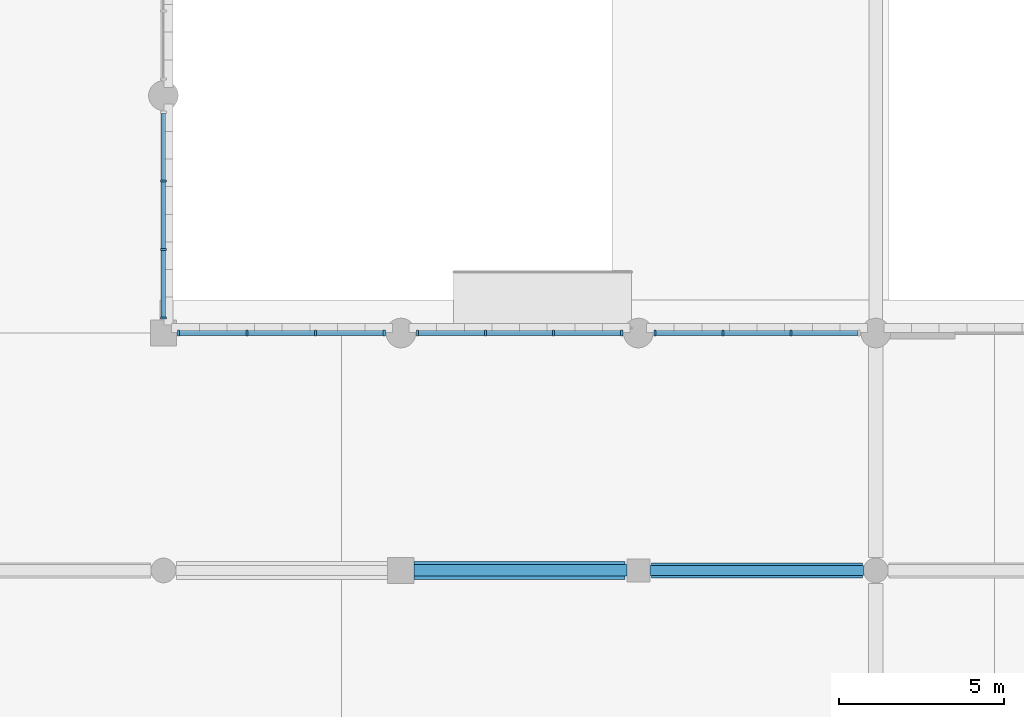
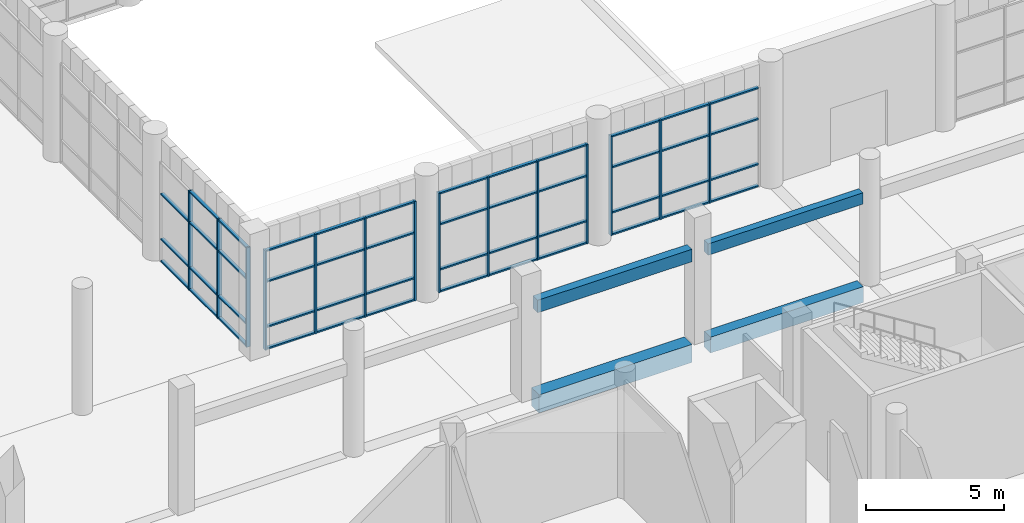
# One storey, part 12 of 85: 61 members, 4 beams, 4 elements without a shape of their own.
"""IFC4 building model written with IfcOpenShell, lengths in metres."""

from ifc_helpers import new_model, si_unit, direction, frame, origin, origin_2d, place, context, subcontext, project, spatial, rectangle, extrude, material, material_profile, profile_set, type_object, element, aggregate, save


model = new_model("IFC4")

# Units and contexts
model_context = context("Model", 3, precision=1e-05, world=origin(), true_north=direction((0.0, 1.0)))
body_context = subcontext(model_context, "Body", "Model", "MODEL_VIEW")
ifc_project = project(units=[si_unit("LENGTHUNIT", "METRE"), si_unit("AREAUNIT", "SQUARE_METRE"), si_unit("VOLUMEUNIT", "CUBIC_METRE"), si_unit("PLANEANGLEUNIT", "RADIAN"), si_unit("MASSUNIT", "GRAM", prefix="KILO")], contexts=[model_context])

# Site, building, storey
site_placement = place(None, origin())
site = spatial("IfcSite", under=ifc_project, at=site_placement, CompositionType="ELEMENT")
building_placement = place(site_placement, origin())
building = spatial("IfcBuilding", under=site, at=building_placement, Name="Sardonyx Promenade Sports Hall", CompositionType="ELEMENT")
storey_placement = place(building_placement, origin())
storey = spatial("IfcBuildingStorey", under=building, at=storey_placement, Name="L00", CompositionType="ELEMENT", Elevation=0.0)

# Beams
ifc_material_1 = material(Name="Concrete C40/50", Category="concrete")
ifc_material_profile_1 = material_profile(ifc_material_1, rectangle(XDim=0.550048828125, YDim=0.800048828125, at=origin_2d()))
ifc_profile_set_1 = profile_set([ifc_material_profile_1], Name="Concrete C40/50")
beam_type_1 = type_object("IfcBeamType", Name="Bm_Girder_RC800", PredefinedType="BEAM", material=ifc_profile_set_1)
beam_1_placement = place(storey_placement, frame((50.800048828125, 36.0, -0.39990234375), z_axis=(1.0, 0.0, 0.0), x_axis=(0.0, 1.0, 0.0)))
element("IfcBeam", 1, at=beam_1_placement, inside=storey, type_object=beam_type_1, Name="Beam BG04 L00 #107", PredefinedType="BEAM", context=body_context, shape_type="SweptSolid", body=[
    extrude(rectangle(XDim=0.550048828125, YDim=0.800048828125, at=origin_2d()), origin(), (0.0, 0.0, 1.0), 6.39990234375),
])
ifc_material_2 = material(Name="Concrete C40/50", Category="concrete")
ifc_material_profile_2 = material_profile(ifc_material_2, rectangle(XDim=0.35009765625, YDim=0.550048828125, at=origin_2d()))
ifc_profile_set_2 = profile_set([ifc_material_profile_2], Name="Concrete C40/50")
beam_type_2 = type_object("IfcBeamType", Name="Bm_Lintel_Portal", PredefinedType="LINTEL", material=ifc_profile_set_2)
beam_2_placement = place(storey_placement, frame((50.798095703125, 36.0, 3.85009765625), z_axis=(1.0, 0.0, 0.0), x_axis=(0.0, 1.0, 0.0)))
element("IfcBeam", 2, at=beam_2_placement, inside=storey, type_object=beam_type_2, Name="Riwaq sandstone portal lintel #3", PredefinedType="LINTEL", context=body_context, shape_type="SweptSolid", body=[
    extrude(rectangle(XDim=0.35009765625, YDim=0.550048828125, at=origin_2d()), origin(), (0.0, 0.0, 1.0), 6.453857421875),
])
ifc_material_3 = material(Name="Concrete C40/50", Category="concrete")
ifc_material_profile_3 = material_profile(ifc_material_3, rectangle(XDim=0.300048828125, YDim=0.5, at=origin_2d()))
ifc_profile_set_3 = profile_set([ifc_material_profile_3], Name="Concrete C40/50")
beam_type_3 = type_object("IfcBeamType", Name="Bm_Lintel_Sandstone", PredefinedType="LINTEL", material=ifc_profile_set_3)
beam_3_placement = place(storey_placement, frame((57.947998046875, 36.0, 3.85009765625), z_axis=(1.0, 0.0, 0.0), x_axis=(0.0, 1.0, 0.0)))
element("IfcBeam", 3, at=beam_3_placement, inside=storey, type_object=beam_type_3, Name="Riwaq sandstone portal lintel #4", PredefinedType="LINTEL", context=body_context, shape_type="SweptSolid", body=[
    extrude(rectangle(XDim=0.300048828125, YDim=0.5, at=origin_2d()), origin(), (0.0, 0.0, 1.0), 6.47900390625),
])
ifc_material_4 = material(Name="Concrete C40/50", Category="concrete")
ifc_material_profile_4 = material_profile(ifc_material_4, rectangle(XDim=0.449951171875, YDim=0.699951171875, at=origin_2d()))
ifc_profile_set_4 = profile_set([ifc_material_profile_4], Name="Concrete C40/50")
beam_type_4 = type_object("IfcBeamType", Name="Bm_Primary_RC700", PredefinedType="BEAM", material=ifc_profile_set_4)
beam_4_placement = place(storey_placement, frame((58.0, 36.0, -0.35009765625), z_axis=(1.0, 0.0, 0.0), x_axis=(0.0, 1.0, 0.0)))
element("IfcBeam", 4, at=beam_4_placement, inside=storey, type_object=beam_type_4, Name="Beam BG01 L00 #108", PredefinedType="BEAM", context=body_context, shape_type="SweptSolid", body=[
    extrude(rectangle(XDim=0.449951171875, YDim=0.699951171875, at=origin_2d()), origin(), (0.0, 0.0, 1.0), 6.39990234375),
])

# Curtain wall, members
ifc_material_5 = material(Name="Aluminium 6063-T6", Category="aluminium")
curtain_wall_type = type_object("IfcCurtainWallType", Name="CW_Riwaq_L00_640", PredefinedType="USERDEFINED", material=ifc_material_5)
curtain_wall_1_placement = place(storey_placement, origin())
curtain_wall_1 = element("IfcCurtainWall", 5, at=curtain_wall_1_placement, inside=storey, type_object=curtain_wall_type, Name="Curtain wall CW17 cw:L00:108", ObjectType="CURTAIN WALL", PredefinedType="USERDEFINED")
ifc_material_6 = material(Name="Aluminium 6063-T6", Category="aluminium")
ifc_material_profile_5 = material_profile(ifc_material_6, rectangle(XDim=0.06494140625, YDim=0.175048828125, at=origin_2d()))
ifc_profile_set_5 = profile_set([ifc_material_profile_5], Name="Aluminium 6063-T6")
member_type_1 = type_object("IfcMemberType", Name="CW_Mull_175", PredefinedType="MULLION", material=ifc_profile_set_5)
member_1_placement = place(storey_placement, frame((43.652587890625, 43.199951171875, 0.0), z_axis=(0.0, 0.0, 1.0), x_axis=(1.0, 0.0, 0.0)))
member_1 = element("IfcMember", 6, at=member_1_placement, type_object=member_type_1, Name="Mullion CM02 cw:L00:108 #1", PredefinedType="MULLION", context=body_context, shape_type="SweptSolid", body=[
    extrude(rectangle(XDim=0.06494140625, YDim=0.175048828125, at=origin_2d()), origin(), (0.0, 0.0, 1.0), 4.39990234375),
])
member_2_placement = place(storey_placement, frame((45.734130859375, 43.199951171875, 0.0), z_axis=(0.0, 0.0, 1.0), x_axis=(1.0, 0.0, 0.0)))
member_2 = element("IfcMember", 7, at=member_2_placement, type_object=member_type_1, Name="Mullion CM02 cw:L00:108 #2", PredefinedType="MULLION", context=body_context, shape_type="SweptSolid", body=[
    extrude(rectangle(XDim=0.06494140625, YDim=0.175048828125, at=origin_2d()), origin(), (0.0, 0.0, 1.0), 4.39990234375),
])
member_3_placement = place(storey_placement, frame((47.81591796875, 43.199951171875, 0.0), z_axis=(0.0, 0.0, 1.0), x_axis=(1.0, 0.0, 0.0)))
member_3 = element("IfcMember", 8, at=member_3_placement, type_object=member_type_1, Name="Mullion CM02 cw:L00:108 #3", PredefinedType="MULLION", context=body_context, shape_type="SweptSolid", body=[
    extrude(rectangle(XDim=0.06494140625, YDim=0.175048828125, at=origin_2d()), origin(), (0.0, 0.0, 1.0), 4.39990234375),
])
member_4_placement = place(storey_placement, frame((49.8974609375, 43.199951171875, 0.0), z_axis=(0.0, 0.0, 1.0), x_axis=(1.0, 0.0, 0.0)))
member_4 = element("IfcMember", 9, at=member_4_placement, type_object=member_type_1, Name="Mullion CM02 cw:L00:108 #4", PredefinedType="MULLION", context=body_context, shape_type="SweptSolid", body=[
    extrude(rectangle(XDim=0.06494140625, YDim=0.175048828125, at=origin_2d()), origin(), (0.0, 0.0, 1.0), 4.39990234375),
])

curtain_wall_2_placement = place(storey_placement, origin())
curtain_wall_2 = element("IfcCurtainWall", 10, at=curtain_wall_2_placement, inside=storey, type_object=curtain_wall_type, Name="Curtain wall CW17 cw:L00:110", ObjectType="CURTAIN WALL", PredefinedType="USERDEFINED")
member_5_placement = place(storey_placement, frame((50.902587890625, 43.199951171875, 0.0), z_axis=(0.0, 0.0, 1.0), x_axis=(1.0, 0.0, 0.0)))
member_5 = element("IfcMember", 11, at=member_5_placement, type_object=member_type_1, Name="Mullion CM02 cw:L00:110 #1", PredefinedType="MULLION", context=body_context, shape_type="SweptSolid", body=[
    extrude(rectangle(XDim=0.06494140625, YDim=0.175048828125, at=origin_2d()), origin(), (0.0, 0.0, 1.0), 4.39990234375),
])
member_6_placement = place(storey_placement, frame((52.967529296875, 43.199951171875, 0.0), z_axis=(0.0, 0.0, 1.0), x_axis=(1.0, 0.0, 0.0)))
member_6 = element("IfcMember", 12, at=member_6_placement, type_object=member_type_1, Name="Mullion CM02 cw:L00:110 #2", PredefinedType="MULLION", context=body_context, shape_type="SweptSolid", body=[
    extrude(rectangle(XDim=0.06494140625, YDim=0.175048828125, at=origin_2d()), origin(), (0.0, 0.0, 1.0), 4.39990234375),
])
member_7_placement = place(storey_placement, frame((55.032470703125, 43.199951171875, 0.0), z_axis=(0.0, 0.0, 1.0), x_axis=(1.0, 0.0, 0.0)))
member_7 = element("IfcMember", 13, at=member_7_placement, type_object=member_type_1, Name="Mullion CM02 cw:L00:110 #3", PredefinedType="MULLION", context=body_context, shape_type="SweptSolid", body=[
    extrude(rectangle(XDim=0.06494140625, YDim=0.175048828125, at=origin_2d()), origin(), (0.0, 0.0, 1.0), 4.39990234375),
])
member_8_placement = place(storey_placement, frame((57.097412109375, 43.199951171875, 0.0), z_axis=(0.0, 0.0, 1.0), x_axis=(1.0, 0.0, 0.0)))
member_8 = element("IfcMember", 14, at=member_8_placement, type_object=member_type_1, Name="Mullion CM02 cw:L00:110 #4", PredefinedType="MULLION", context=body_context, shape_type="SweptSolid", body=[
    extrude(rectangle(XDim=0.06494140625, YDim=0.175048828125, at=origin_2d()), origin(), (0.0, 0.0, 1.0), 4.39990234375),
])

curtain_wall_3_placement = place(storey_placement, origin())
curtain_wall_3 = element("IfcCurtainWall", 15, at=curtain_wall_3_placement, inside=storey, type_object=curtain_wall_type, Name="Curtain wall CW17 cw:L00:112", ObjectType="CURTAIN WALL", PredefinedType="USERDEFINED")
member_9_placement = place(storey_placement, frame((58.1025390625, 43.199951171875, 0.0), z_axis=(0.0, 0.0, 1.0), x_axis=(1.0, 0.0, 0.0)))
member_9 = element("IfcMember", 16, at=member_9_placement, type_object=member_type_1, Name="Mullion CM02 cw:L00:112 #1", PredefinedType="MULLION", context=body_context, shape_type="SweptSolid", body=[
    extrude(rectangle(XDim=0.06494140625, YDim=0.175048828125, at=origin_2d()), origin(), (0.0, 0.0, 1.0), 4.39990234375),
])
member_10_placement = place(storey_placement, frame((60.16748046875, 43.199951171875, 0.0), z_axis=(0.0, 0.0, 1.0), x_axis=(1.0, 0.0, 0.0)))
member_10 = element("IfcMember", 17, at=member_10_placement, type_object=member_type_1, Name="Mullion CM02 cw:L00:112 #2", PredefinedType="MULLION", context=body_context, shape_type="SweptSolid", body=[
    extrude(rectangle(XDim=0.06494140625, YDim=0.175048828125, at=origin_2d()), origin(), (0.0, 0.0, 1.0), 4.39990234375),
])
member_11_placement = place(storey_placement, frame((62.232421875, 43.199951171875, 0.0), z_axis=(0.0, 0.0, 1.0), x_axis=(1.0, 0.0, 0.0)))
member_11 = element("IfcMember", 18, at=member_11_placement, type_object=member_type_1, Name="Mullion CM02 cw:L00:112 #3", PredefinedType="MULLION", context=body_context, shape_type="SweptSolid", body=[
    extrude(rectangle(XDim=0.06494140625, YDim=0.175048828125, at=origin_2d()), origin(), (0.0, 0.0, 1.0), 4.39990234375),
])

curtain_wall_4_placement = place(storey_placement, origin())
curtain_wall_4 = element("IfcCurtainWall", 19, at=curtain_wall_4_placement, inside=storey, type_object=curtain_wall_type, Name="Curtain wall CW17 cw:L00:120", ObjectType="CURTAIN WALL", PredefinedType="USERDEFINED")
member_12_placement = place(storey_placement, frame((43.199951171875, 47.81591796875, 0.0), z_axis=(0.0, 0.0, 1.0), x_axis=(0.0, -1.0, 0.0)))
member_12 = element("IfcMember", 20, at=member_12_placement, type_object=member_type_1, Name="Mullion CM02 cw:L00:120 #2", PredefinedType="MULLION", context=body_context, shape_type="SweptSolid", body=[
    extrude(rectangle(XDim=0.06494140625, YDim=0.175048828125, at=origin_2d()), origin(), (0.0, 0.0, 1.0), 4.39990234375),
])
member_13_placement = place(storey_placement, frame((43.199951171875, 45.734130859375, 0.0), z_axis=(0.0, 0.0, 1.0), x_axis=(0.0, -1.0, 0.0)))
member_13 = element("IfcMember", 21, at=member_13_placement, type_object=member_type_1, Name="Mullion CM02 cw:L00:120 #3", PredefinedType="MULLION", context=body_context, shape_type="SweptSolid", body=[
    extrude(rectangle(XDim=0.06494140625, YDim=0.175048828125, at=origin_2d()), origin(), (0.0, 0.0, 1.0), 4.39990234375),
])
member_14_placement = place(storey_placement, frame((43.199951171875, 43.652587890625, 0.0), z_axis=(0.0, 0.0, 1.0), x_axis=(0.0, -1.0, 0.0)))
member_14 = element("IfcMember", 22, at=member_14_placement, type_object=member_type_1, Name="Mullion CM02 cw:L00:120 #4", PredefinedType="MULLION", context=body_context, shape_type="SweptSolid", body=[
    extrude(rectangle(XDim=0.06494140625, YDim=0.175048828125, at=origin_2d()), origin(), (0.0, 0.0, 1.0), 4.39990234375),
])

# Member
ifc_material_7 = material(Name="Aluminium 6063-T6", Category="aluminium")
ifc_material_profile_6 = material_profile(ifc_material_7, rectangle(XDim=0.06494140625, YDim=0.139892578125, at=origin_2d()))
ifc_profile_set_6 = profile_set([ifc_material_profile_6], Name="Aluminium 6063-T6")
member_type_2 = type_object("IfcMemberType", Name="CW_Tran_140", PredefinedType="USERDEFINED", material=ifc_profile_set_6)
member_15_placement = place(storey_placement, frame((43.68505859375, 43.199951171875, 0.032470703125), z_axis=(1.0, 0.0, 0.0), x_axis=(0.0, 0.0, 1.0)))
member_15 = element("IfcMember", 23, at=member_15_placement, type_object=member_type_2, Name="Transom CT02 cw:L00:108 #1", ObjectType="TRANSOM", PredefinedType="USERDEFINED", context=body_context, shape_type="SweptSolid", body=[
    extrude(rectangle(XDim=0.06494140625, YDim=0.139892578125, at=origin_2d()), origin(), (0.0, 0.0, 1.0), 2.0166015625),
])

member_16_placement = place(storey_placement, frame((43.68505859375, 43.199951171875, 1.0), z_axis=(1.0, 0.0, 0.0), x_axis=(0.0, 0.0, 1.0)))
member_16 = element("IfcMember", 24, at=member_16_placement, type_object=member_type_2, Name="Transom CT02 cw:L00:108 #2", ObjectType="TRANSOM", PredefinedType="USERDEFINED", context=body_context, shape_type="SweptSolid", body=[
    extrude(rectangle(XDim=0.06494140625, YDim=0.139892578125, at=origin_2d()), origin(), (0.0, 0.0, 1.0), 2.0166015625),
])

member_17_placement = place(storey_placement, frame((43.68505859375, 43.199951171875, 3.0), z_axis=(1.0, 0.0, 0.0), x_axis=(0.0, 0.0, 1.0)))
member_17 = element("IfcMember", 25, at=member_17_placement, type_object=member_type_2, Name="Transom CT02 cw:L00:108 #3", ObjectType="TRANSOM", PredefinedType="USERDEFINED", context=body_context, shape_type="SweptSolid", body=[
    extrude(rectangle(XDim=0.06494140625, YDim=0.139892578125, at=origin_2d()), origin(), (0.0, 0.0, 1.0), 2.0166015625),
])

member_18_placement = place(storey_placement, frame((43.68505859375, 43.199951171875, 4.367431640625), z_axis=(1.0, 0.0, 0.0), x_axis=(0.0, 0.0, 1.0)))
member_18 = element("IfcMember", 26, at=member_18_placement, type_object=member_type_2, Name="Transom CT02 cw:L00:108 #4", ObjectType="TRANSOM", PredefinedType="USERDEFINED", context=body_context, shape_type="SweptSolid", body=[
    extrude(rectangle(XDim=0.06494140625, YDim=0.139892578125, at=origin_2d()), origin(), (0.0, 0.0, 1.0), 2.0166015625),
])

member_19_placement = place(storey_placement, frame((45.7666015625, 43.199951171875, 0.032470703125), z_axis=(1.0, 0.0, 0.0), x_axis=(0.0, 0.0, 1.0)))
member_19 = element("IfcMember", 27, at=member_19_placement, type_object=member_type_2, Name="Transom CT02 cw:L00:108 #5", ObjectType="TRANSOM", PredefinedType="USERDEFINED", context=body_context, shape_type="SweptSolid", body=[
    extrude(rectangle(XDim=0.06494140625, YDim=0.139892578125, at=origin_2d()), origin(), (0.0, 0.0, 1.0), 2.016845703125),
])

member_20_placement = place(storey_placement, frame((45.7666015625, 43.199951171875, 1.0), z_axis=(1.0, 0.0, 0.0), x_axis=(0.0, 0.0, 1.0)))
member_20 = element("IfcMember", 28, at=member_20_placement, type_object=member_type_2, Name="Transom CT02 cw:L00:108 #6", ObjectType="TRANSOM", PredefinedType="USERDEFINED", context=body_context, shape_type="SweptSolid", body=[
    extrude(rectangle(XDim=0.06494140625, YDim=0.139892578125, at=origin_2d()), origin(), (0.0, 0.0, 1.0), 2.016845703125),
])

member_21_placement = place(storey_placement, frame((45.7666015625, 43.199951171875, 3.0), z_axis=(1.0, 0.0, 0.0), x_axis=(0.0, 0.0, 1.0)))
member_21 = element("IfcMember", 29, at=member_21_placement, type_object=member_type_2, Name="Transom CT02 cw:L00:108 #7", ObjectType="TRANSOM", PredefinedType="USERDEFINED", context=body_context, shape_type="SweptSolid", body=[
    extrude(rectangle(XDim=0.06494140625, YDim=0.139892578125, at=origin_2d()), origin(), (0.0, 0.0, 1.0), 2.016845703125),
])

member_22_placement = place(storey_placement, frame((45.7666015625, 43.199951171875, 4.367431640625), z_axis=(1.0, 0.0, 0.0), x_axis=(0.0, 0.0, 1.0)))
member_22 = element("IfcMember", 30, at=member_22_placement, type_object=member_type_2, Name="Transom CT02 cw:L00:108 #8", ObjectType="TRANSOM", PredefinedType="USERDEFINED", context=body_context, shape_type="SweptSolid", body=[
    extrude(rectangle(XDim=0.06494140625, YDim=0.139892578125, at=origin_2d()), origin(), (0.0, 0.0, 1.0), 2.016845703125),
])

member_23_placement = place(storey_placement, frame((47.848388671875, 43.199951171875, 0.032470703125), z_axis=(1.0, 0.0, 0.0), x_axis=(0.0, 0.0, 1.0)))
member_23 = element("IfcMember", 31, at=member_23_placement, type_object=member_type_2, Name="Transom CT02 cw:L00:108 #9", ObjectType="TRANSOM", PredefinedType="USERDEFINED", context=body_context, shape_type="SweptSolid", body=[
    extrude(rectangle(XDim=0.06494140625, YDim=0.139892578125, at=origin_2d()), origin(), (0.0, 0.0, 1.0), 2.0166015625),
])

member_24_placement = place(storey_placement, frame((47.848388671875, 43.199951171875, 1.0), z_axis=(1.0, 0.0, 0.0), x_axis=(0.0, 0.0, 1.0)))
member_24 = element("IfcMember", 32, at=member_24_placement, type_object=member_type_2, Name="Transom CT02 cw:L00:108 #10", ObjectType="TRANSOM", PredefinedType="USERDEFINED", context=body_context, shape_type="SweptSolid", body=[
    extrude(rectangle(XDim=0.06494140625, YDim=0.139892578125, at=origin_2d()), origin(), (0.0, 0.0, 1.0), 2.0166015625),
])

member_25_placement = place(storey_placement, frame((47.848388671875, 43.199951171875, 3.0), z_axis=(1.0, 0.0, 0.0), x_axis=(0.0, 0.0, 1.0)))
member_25 = element("IfcMember", 33, at=member_25_placement, type_object=member_type_2, Name="Transom CT02 cw:L00:108 #11", ObjectType="TRANSOM", PredefinedType="USERDEFINED", context=body_context, shape_type="SweptSolid", body=[
    extrude(rectangle(XDim=0.06494140625, YDim=0.139892578125, at=origin_2d()), origin(), (0.0, 0.0, 1.0), 2.0166015625),
])

member_26_placement = place(storey_placement, frame((47.848388671875, 43.199951171875, 4.367431640625), z_axis=(1.0, 0.0, 0.0), x_axis=(0.0, 0.0, 1.0)))
member_26 = element("IfcMember", 34, at=member_26_placement, type_object=member_type_2, Name="Transom CT02 cw:L00:108 #12", ObjectType="TRANSOM", PredefinedType="USERDEFINED", context=body_context, shape_type="SweptSolid", body=[
    extrude(rectangle(XDim=0.06494140625, YDim=0.139892578125, at=origin_2d()), origin(), (0.0, 0.0, 1.0), 2.0166015625),
])

aggregate(curtain_wall_1, [member_1, member_2, member_3, member_4, member_15, member_16, member_17, member_18, member_19, member_20, member_21, member_22, member_23, member_24, member_25, member_26])

member_27_placement = place(storey_placement, frame((50.93505859375, 43.199951171875, 0.032470703125), z_axis=(1.0, 0.0, 0.0), x_axis=(0.0, 0.0, 1.0)))
member_27 = element("IfcMember", 35, at=member_27_placement, type_object=member_type_2, Name="Transom CT02 cw:L00:110 #1", ObjectType="TRANSOM", PredefinedType="USERDEFINED", context=body_context, shape_type="SweptSolid", body=[
    extrude(rectangle(XDim=0.06494140625, YDim=0.139892578125, at=origin_2d()), origin(), (0.0, 0.0, 1.0), 2.0),
])

member_28_placement = place(storey_placement, frame((50.93505859375, 43.199951171875, 1.0), z_axis=(1.0, 0.0, 0.0), x_axis=(0.0, 0.0, 1.0)))
member_28 = element("IfcMember", 36, at=member_28_placement, type_object=member_type_2, Name="Transom CT02 cw:L00:110 #2", ObjectType="TRANSOM", PredefinedType="USERDEFINED", context=body_context, shape_type="SweptSolid", body=[
    extrude(rectangle(XDim=0.06494140625, YDim=0.139892578125, at=origin_2d()), origin(), (0.0, 0.0, 1.0), 2.0),
])

member_29_placement = place(storey_placement, frame((50.93505859375, 43.199951171875, 3.0), z_axis=(1.0, 0.0, 0.0), x_axis=(0.0, 0.0, 1.0)))
member_29 = element("IfcMember", 37, at=member_29_placement, type_object=member_type_2, Name="Transom CT02 cw:L00:110 #3", ObjectType="TRANSOM", PredefinedType="USERDEFINED", context=body_context, shape_type="SweptSolid", body=[
    extrude(rectangle(XDim=0.06494140625, YDim=0.139892578125, at=origin_2d()), origin(), (0.0, 0.0, 1.0), 2.0),
])

member_30_placement = place(storey_placement, frame((50.93505859375, 43.199951171875, 4.367431640625), z_axis=(1.0, 0.0, 0.0), x_axis=(0.0, 0.0, 1.0)))
member_30 = element("IfcMember", 38, at=member_30_placement, type_object=member_type_2, Name="Transom CT02 cw:L00:110 #4", ObjectType="TRANSOM", PredefinedType="USERDEFINED", context=body_context, shape_type="SweptSolid", body=[
    extrude(rectangle(XDim=0.06494140625, YDim=0.139892578125, at=origin_2d()), origin(), (0.0, 0.0, 1.0), 2.0),
])

member_31_placement = place(storey_placement, frame((53.0, 43.199951171875, 0.032470703125), z_axis=(1.0, 0.0, 0.0), x_axis=(0.0, 0.0, 1.0)))
member_31 = element("IfcMember", 39, at=member_31_placement, type_object=member_type_2, Name="Transom CT02 cw:L00:110 #5", ObjectType="TRANSOM", PredefinedType="USERDEFINED", context=body_context, shape_type="SweptSolid", body=[
    extrude(rectangle(XDim=0.06494140625, YDim=0.139892578125, at=origin_2d()), origin(), (0.0, 0.0, 1.0), 2.0),
])

member_32_placement = place(storey_placement, frame((53.0, 43.199951171875, 1.0), z_axis=(1.0, 0.0, 0.0), x_axis=(0.0, 0.0, 1.0)))
member_32 = element("IfcMember", 40, at=member_32_placement, type_object=member_type_2, Name="Transom CT02 cw:L00:110 #6", ObjectType="TRANSOM", PredefinedType="USERDEFINED", context=body_context, shape_type="SweptSolid", body=[
    extrude(rectangle(XDim=0.06494140625, YDim=0.139892578125, at=origin_2d()), origin(), (0.0, 0.0, 1.0), 2.0),
])

member_33_placement = place(storey_placement, frame((53.0, 43.199951171875, 3.0), z_axis=(1.0, 0.0, 0.0), x_axis=(0.0, 0.0, 1.0)))
member_33 = element("IfcMember", 41, at=member_33_placement, type_object=member_type_2, Name="Transom CT02 cw:L00:110 #7", ObjectType="TRANSOM", PredefinedType="USERDEFINED", context=body_context, shape_type="SweptSolid", body=[
    extrude(rectangle(XDim=0.06494140625, YDim=0.139892578125, at=origin_2d()), origin(), (0.0, 0.0, 1.0), 2.0),
])

member_34_placement = place(storey_placement, frame((53.0, 43.199951171875, 4.367431640625), z_axis=(1.0, 0.0, 0.0), x_axis=(0.0, 0.0, 1.0)))
member_34 = element("IfcMember", 42, at=member_34_placement, type_object=member_type_2, Name="Transom CT02 cw:L00:110 #8", ObjectType="TRANSOM", PredefinedType="USERDEFINED", context=body_context, shape_type="SweptSolid", body=[
    extrude(rectangle(XDim=0.06494140625, YDim=0.139892578125, at=origin_2d()), origin(), (0.0, 0.0, 1.0), 2.0),
])

member_35_placement = place(storey_placement, frame((55.06494140625, 43.199951171875, 0.032470703125), z_axis=(1.0, 0.0, 0.0), x_axis=(0.0, 0.0, 1.0)))
member_35 = element("IfcMember", 43, at=member_35_placement, type_object=member_type_2, Name="Transom CT02 cw:L00:110 #9", ObjectType="TRANSOM", PredefinedType="USERDEFINED", context=body_context, shape_type="SweptSolid", body=[
    extrude(rectangle(XDim=0.06494140625, YDim=0.139892578125, at=origin_2d()), origin(), (0.0, 0.0, 1.0), 2.0),
])

member_36_placement = place(storey_placement, frame((55.06494140625, 43.199951171875, 1.0), z_axis=(1.0, 0.0, 0.0), x_axis=(0.0, 0.0, 1.0)))
member_36 = element("IfcMember", 44, at=member_36_placement, type_object=member_type_2, Name="Transom CT02 cw:L00:110 #10", ObjectType="TRANSOM", PredefinedType="USERDEFINED", context=body_context, shape_type="SweptSolid", body=[
    extrude(rectangle(XDim=0.06494140625, YDim=0.139892578125, at=origin_2d()), origin(), (0.0, 0.0, 1.0), 2.0),
])

member_37_placement = place(storey_placement, frame((55.06494140625, 43.199951171875, 3.0), z_axis=(1.0, 0.0, 0.0), x_axis=(0.0, 0.0, 1.0)))
member_37 = element("IfcMember", 45, at=member_37_placement, type_object=member_type_2, Name="Transom CT02 cw:L00:110 #11", ObjectType="TRANSOM", PredefinedType="USERDEFINED", context=body_context, shape_type="SweptSolid", body=[
    extrude(rectangle(XDim=0.06494140625, YDim=0.139892578125, at=origin_2d()), origin(), (0.0, 0.0, 1.0), 2.0),
])

member_38_placement = place(storey_placement, frame((55.06494140625, 43.199951171875, 4.367431640625), z_axis=(1.0, 0.0, 0.0), x_axis=(0.0, 0.0, 1.0)))
member_38 = element("IfcMember", 46, at=member_38_placement, type_object=member_type_2, Name="Transom CT02 cw:L00:110 #12", ObjectType="TRANSOM", PredefinedType="USERDEFINED", context=body_context, shape_type="SweptSolid", body=[
    extrude(rectangle(XDim=0.06494140625, YDim=0.139892578125, at=origin_2d()), origin(), (0.0, 0.0, 1.0), 2.0),
])

aggregate(curtain_wall_2, [member_5, member_6, member_7, member_8, member_27, member_28, member_29, member_30, member_31, member_32, member_33, member_34, member_35, member_36, member_37, member_38])

member_39_placement = place(storey_placement, frame((58.135009765625, 43.199951171875, 0.032470703125), z_axis=(1.0, 0.0, 0.0), x_axis=(0.0, 0.0, 1.0)))
member_39 = element("IfcMember", 47, at=member_39_placement, type_object=member_type_2, Name="Transom CT02 cw:L00:112 #1", ObjectType="TRANSOM", PredefinedType="USERDEFINED", context=body_context, shape_type="SweptSolid", body=[
    extrude(rectangle(XDim=0.06494140625, YDim=0.139892578125, at=origin_2d()), origin(), (0.0, 0.0, 1.0), 2.0),
])

member_40_placement = place(storey_placement, frame((58.135009765625, 43.199951171875, 1.0), z_axis=(1.0, 0.0, 0.0), x_axis=(0.0, 0.0, 1.0)))
member_40 = element("IfcMember", 48, at=member_40_placement, type_object=member_type_2, Name="Transom CT02 cw:L00:112 #2", ObjectType="TRANSOM", PredefinedType="USERDEFINED", context=body_context, shape_type="SweptSolid", body=[
    extrude(rectangle(XDim=0.06494140625, YDim=0.139892578125, at=origin_2d()), origin(), (0.0, 0.0, 1.0), 2.0),
])

member_41_placement = place(storey_placement, frame((58.135009765625, 43.199951171875, 3.0), z_axis=(1.0, 0.0, 0.0), x_axis=(0.0, 0.0, 1.0)))
member_41 = element("IfcMember", 49, at=member_41_placement, type_object=member_type_2, Name="Transom CT02 cw:L00:112 #3", ObjectType="TRANSOM", PredefinedType="USERDEFINED", context=body_context, shape_type="SweptSolid", body=[
    extrude(rectangle(XDim=0.06494140625, YDim=0.139892578125, at=origin_2d()), origin(), (0.0, 0.0, 1.0), 2.0),
])

member_42_placement = place(storey_placement, frame((58.135009765625, 43.199951171875, 4.367431640625), z_axis=(1.0, 0.0, 0.0), x_axis=(0.0, 0.0, 1.0)))
member_42 = element("IfcMember", 50, at=member_42_placement, type_object=member_type_2, Name="Transom CT02 cw:L00:112 #4", ObjectType="TRANSOM", PredefinedType="USERDEFINED", context=body_context, shape_type="SweptSolid", body=[
    extrude(rectangle(XDim=0.06494140625, YDim=0.139892578125, at=origin_2d()), origin(), (0.0, 0.0, 1.0), 2.0),
])

member_43_placement = place(storey_placement, frame((60.199951171875, 43.199951171875, 0.032470703125), z_axis=(1.0, 0.0, 0.0), x_axis=(0.0, 0.0, 1.0)))
member_43 = element("IfcMember", 51, at=member_43_placement, type_object=member_type_2, Name="Transom CT02 cw:L00:112 #5", ObjectType="TRANSOM", PredefinedType="USERDEFINED", context=body_context, shape_type="SweptSolid", body=[
    extrude(rectangle(XDim=0.06494140625, YDim=0.139892578125, at=origin_2d()), origin(), (0.0, 0.0, 1.0), 2.0),
])

member_44_placement = place(storey_placement, frame((60.199951171875, 43.199951171875, 1.0), z_axis=(1.0, 0.0, 0.0), x_axis=(0.0, 0.0, 1.0)))
member_44 = element("IfcMember", 52, at=member_44_placement, type_object=member_type_2, Name="Transom CT02 cw:L00:112 #6", ObjectType="TRANSOM", PredefinedType="USERDEFINED", context=body_context, shape_type="SweptSolid", body=[
    extrude(rectangle(XDim=0.06494140625, YDim=0.139892578125, at=origin_2d()), origin(), (0.0, 0.0, 1.0), 2.0),
])

member_45_placement = place(storey_placement, frame((60.199951171875, 43.199951171875, 3.0), z_axis=(1.0, 0.0, 0.0), x_axis=(0.0, 0.0, 1.0)))
member_45 = element("IfcMember", 53, at=member_45_placement, type_object=member_type_2, Name="Transom CT02 cw:L00:112 #7", ObjectType="TRANSOM", PredefinedType="USERDEFINED", context=body_context, shape_type="SweptSolid", body=[
    extrude(rectangle(XDim=0.06494140625, YDim=0.139892578125, at=origin_2d()), origin(), (0.0, 0.0, 1.0), 2.0),
])

member_46_placement = place(storey_placement, frame((60.199951171875, 43.199951171875, 4.367431640625), z_axis=(1.0, 0.0, 0.0), x_axis=(0.0, 0.0, 1.0)))
member_46 = element("IfcMember", 54, at=member_46_placement, type_object=member_type_2, Name="Transom CT02 cw:L00:112 #8", ObjectType="TRANSOM", PredefinedType="USERDEFINED", context=body_context, shape_type="SweptSolid", body=[
    extrude(rectangle(XDim=0.06494140625, YDim=0.139892578125, at=origin_2d()), origin(), (0.0, 0.0, 1.0), 2.0),
])

member_47_placement = place(storey_placement, frame((62.264892578125, 43.199951171875, 0.032470703125), z_axis=(1.0, 0.0, 0.0), x_axis=(0.0, 0.0, 1.0)))
member_47 = element("IfcMember", 55, at=member_47_placement, type_object=member_type_2, Name="Transom CT02 cw:L00:112 #9", ObjectType="TRANSOM", PredefinedType="USERDEFINED", context=body_context, shape_type="SweptSolid", body=[
    extrude(rectangle(XDim=0.06494140625, YDim=0.139892578125, at=origin_2d()), origin(), (0.0, 0.0, 1.0), 2.0),
])

member_48_placement = place(storey_placement, frame((62.264892578125, 43.199951171875, 1.0), z_axis=(1.0, 0.0, 0.0), x_axis=(0.0, 0.0, 1.0)))
member_48 = element("IfcMember", 56, at=member_48_placement, type_object=member_type_2, Name="Transom CT02 cw:L00:112 #10", ObjectType="TRANSOM", PredefinedType="USERDEFINED", context=body_context, shape_type="SweptSolid", body=[
    extrude(rectangle(XDim=0.06494140625, YDim=0.139892578125, at=origin_2d()), origin(), (0.0, 0.0, 1.0), 2.0),
])

member_49_placement = place(storey_placement, frame((62.264892578125, 43.199951171875, 3.0), z_axis=(1.0, 0.0, 0.0), x_axis=(0.0, 0.0, 1.0)))
member_49 = element("IfcMember", 57, at=member_49_placement, type_object=member_type_2, Name="Transom CT02 cw:L00:112 #11", ObjectType="TRANSOM", PredefinedType="USERDEFINED", context=body_context, shape_type="SweptSolid", body=[
    extrude(rectangle(XDim=0.06494140625, YDim=0.139892578125, at=origin_2d()), origin(), (0.0, 0.0, 1.0), 2.0),
])

member_50_placement = place(storey_placement, frame((62.264892578125, 43.199951171875, 4.367431640625), z_axis=(1.0, 0.0, 0.0), x_axis=(0.0, 0.0, 1.0)))
member_50 = element("IfcMember", 58, at=member_50_placement, type_object=member_type_2, Name="Transom CT02 cw:L00:112 #12", ObjectType="TRANSOM", PredefinedType="USERDEFINED", context=body_context, shape_type="SweptSolid", body=[
    extrude(rectangle(XDim=0.06494140625, YDim=0.139892578125, at=origin_2d()), origin(), (0.0, 0.0, 1.0), 2.0),
])

aggregate(curtain_wall_3, [member_9, member_10, member_11, member_39, member_40, member_41, member_42, member_43, member_44, member_45, member_46, member_47, member_48, member_49, member_50])

member_51_placement = place(storey_placement, frame((43.199951171875, 49.864990234375, 0.032470703125), z_axis=(0.0, -1.0, 0.0), x_axis=(0.0, 0.0, 1.0)))
member_51 = element("IfcMember", 59, at=member_51_placement, type_object=member_type_2, Name="Transom CT02 cw:L00:120 #1", ObjectType="TRANSOM", PredefinedType="USERDEFINED", context=body_context, shape_type="SweptSolid", body=[
    extrude(rectangle(XDim=0.06494140625, YDim=0.139892578125, at=origin_2d()), origin(), (0.0, 0.0, 1.0), 2.0166015625),
])

member_52_placement = place(storey_placement, frame((43.199951171875, 49.864990234375, 1.0), z_axis=(0.0, -1.0, 0.0), x_axis=(0.0, 0.0, 1.0)))
member_52 = element("IfcMember", 60, at=member_52_placement, type_object=member_type_2, Name="Transom CT02 cw:L00:120 #2", ObjectType="TRANSOM", PredefinedType="USERDEFINED", context=body_context, shape_type="SweptSolid", body=[
    extrude(rectangle(XDim=0.06494140625, YDim=0.139892578125, at=origin_2d()), origin(), (0.0, 0.0, 1.0), 2.0166015625),
])

member_53_placement = place(storey_placement, frame((43.199951171875, 49.864990234375, 3.0), z_axis=(0.0, -1.0, 0.0), x_axis=(0.0, 0.0, 1.0)))
member_53 = element("IfcMember", 61, at=member_53_placement, type_object=member_type_2, Name="Transom CT02 cw:L00:120 #3", ObjectType="TRANSOM", PredefinedType="USERDEFINED", context=body_context, shape_type="SweptSolid", body=[
    extrude(rectangle(XDim=0.06494140625, YDim=0.139892578125, at=origin_2d()), origin(), (0.0, 0.0, 1.0), 2.0166015625),
])

member_54_placement = place(storey_placement, frame((43.199951171875, 47.783447265625, 0.032470703125), z_axis=(0.0, -1.0, 0.0), x_axis=(0.0, 0.0, 1.0)))
member_54 = element("IfcMember", 62, at=member_54_placement, type_object=member_type_2, Name="Transom CT02 cw:L00:120 #5", ObjectType="TRANSOM", PredefinedType="USERDEFINED", context=body_context, shape_type="SweptSolid", body=[
    extrude(rectangle(XDim=0.06494140625, YDim=0.139892578125, at=origin_2d()), origin(), (0.0, 0.0, 1.0), 2.016845703125),
])

member_55_placement = place(storey_placement, frame((43.199951171875, 47.783447265625, 1.0), z_axis=(0.0, -1.0, 0.0), x_axis=(0.0, 0.0, 1.0)))
member_55 = element("IfcMember", 63, at=member_55_placement, type_object=member_type_2, Name="Transom CT02 cw:L00:120 #6", ObjectType="TRANSOM", PredefinedType="USERDEFINED", context=body_context, shape_type="SweptSolid", body=[
    extrude(rectangle(XDim=0.06494140625, YDim=0.139892578125, at=origin_2d()), origin(), (0.0, 0.0, 1.0), 2.016845703125),
])

member_56_placement = place(storey_placement, frame((43.199951171875, 47.783447265625, 3.0), z_axis=(0.0, -1.0, 0.0), x_axis=(0.0, 0.0, 1.0)))
member_56 = element("IfcMember", 64, at=member_56_placement, type_object=member_type_2, Name="Transom CT02 cw:L00:120 #7", ObjectType="TRANSOM", PredefinedType="USERDEFINED", context=body_context, shape_type="SweptSolid", body=[
    extrude(rectangle(XDim=0.06494140625, YDim=0.139892578125, at=origin_2d()), origin(), (0.0, 0.0, 1.0), 2.016845703125),
])

member_57_placement = place(storey_placement, frame((43.199951171875, 47.783447265625, 4.367431640625), z_axis=(0.0, -1.0, 0.0), x_axis=(0.0, 0.0, 1.0)))
member_57 = element("IfcMember", 65, at=member_57_placement, type_object=member_type_2, Name="Transom CT02 cw:L00:120 #8", ObjectType="TRANSOM", PredefinedType="USERDEFINED", context=body_context, shape_type="SweptSolid", body=[
    extrude(rectangle(XDim=0.06494140625, YDim=0.139892578125, at=origin_2d()), origin(), (0.0, 0.0, 1.0), 2.016845703125),
])

member_58_placement = place(storey_placement, frame((43.199951171875, 45.70166015625, 0.032470703125), z_axis=(0.0, -1.0, 0.0), x_axis=(0.0, 0.0, 1.0)))
member_58 = element("IfcMember", 66, at=member_58_placement, type_object=member_type_2, Name="Transom CT02 cw:L00:120 #9", ObjectType="TRANSOM", PredefinedType="USERDEFINED", context=body_context, shape_type="SweptSolid", body=[
    extrude(rectangle(XDim=0.06494140625, YDim=0.139892578125, at=origin_2d()), origin(), (0.0, 0.0, 1.0), 2.0166015625),
])

member_59_placement = place(storey_placement, frame((43.199951171875, 45.70166015625, 1.0), z_axis=(0.0, -1.0, 0.0), x_axis=(0.0, 0.0, 1.0)))
member_59 = element("IfcMember", 67, at=member_59_placement, type_object=member_type_2, Name="Transom CT02 cw:L00:120 #10", ObjectType="TRANSOM", PredefinedType="USERDEFINED", context=body_context, shape_type="SweptSolid", body=[
    extrude(rectangle(XDim=0.06494140625, YDim=0.139892578125, at=origin_2d()), origin(), (0.0, 0.0, 1.0), 2.0166015625),
])

member_60_placement = place(storey_placement, frame((43.199951171875, 45.70166015625, 3.0), z_axis=(0.0, -1.0, 0.0), x_axis=(0.0, 0.0, 1.0)))
member_60 = element("IfcMember", 68, at=member_60_placement, type_object=member_type_2, Name="Transom CT02 cw:L00:120 #11", ObjectType="TRANSOM", PredefinedType="USERDEFINED", context=body_context, shape_type="SweptSolid", body=[
    extrude(rectangle(XDim=0.06494140625, YDim=0.139892578125, at=origin_2d()), origin(), (0.0, 0.0, 1.0), 2.0166015625),
])

member_61_placement = place(storey_placement, frame((43.199951171875, 45.70166015625, 4.367431640625), z_axis=(0.0, -1.0, 0.0), x_axis=(0.0, 0.0, 1.0)))
member_61 = element("IfcMember", 69, at=member_61_placement, type_object=member_type_2, Name="Transom CT02 cw:L00:120 #12", ObjectType="TRANSOM", PredefinedType="USERDEFINED", context=body_context, shape_type="SweptSolid", body=[
    extrude(rectangle(XDim=0.06494140625, YDim=0.139892578125, at=origin_2d()), origin(), (0.0, 0.0, 1.0), 2.0166015625),
])

aggregate(curtain_wall_4, [member_12, member_13, member_14, member_51, member_52, member_53, member_54, member_55, member_56, member_57, member_58, member_59, member_60, member_61])

save(model, "model.ifc")
